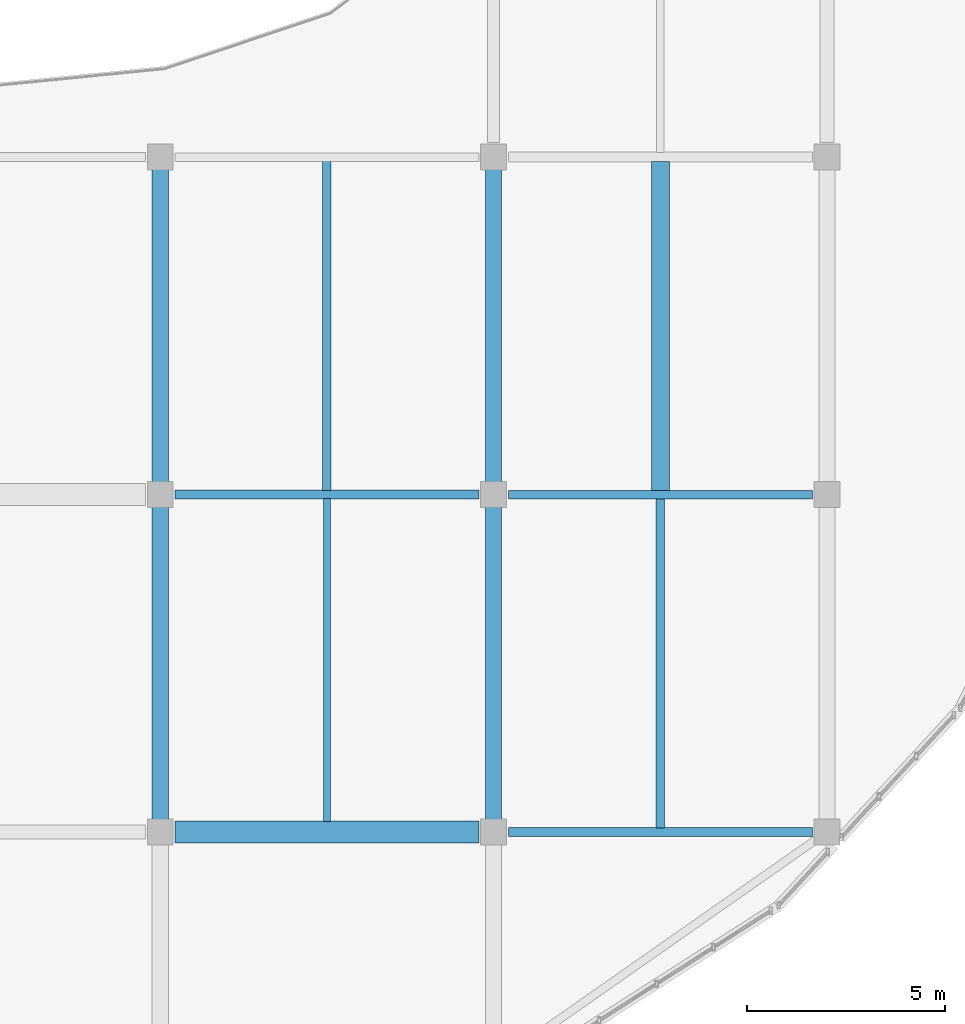
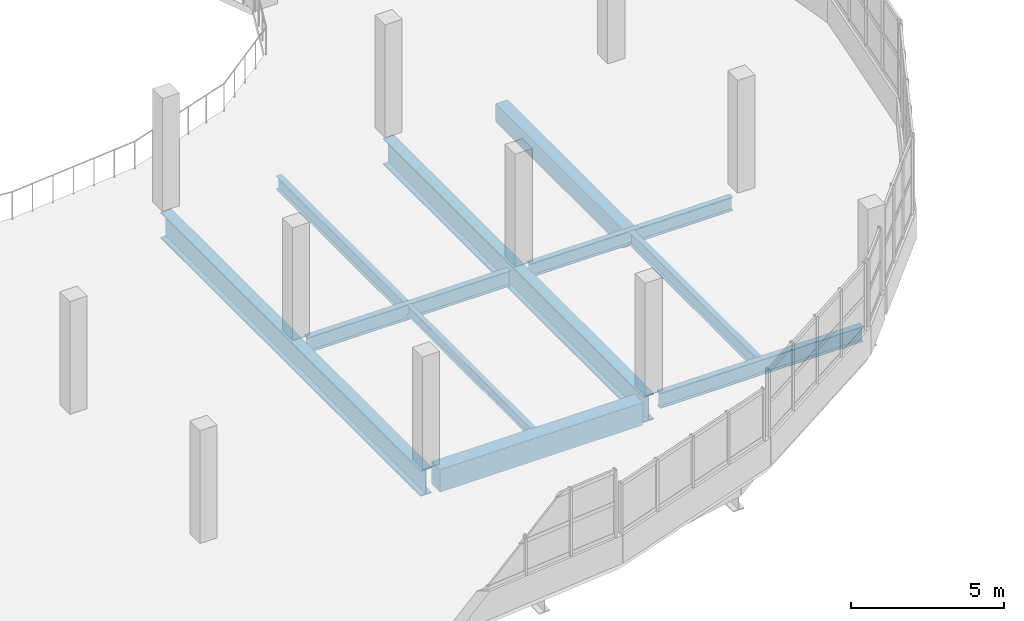
# One storey, part 20 of 50: 10 beams.
"""IFC4 building model written with IfcOpenShell, lengths in metres."""

import ifcopenshell
import ifcopenshell.guid

model = None  # the IFC model being written
_history = None  # IfcOwnerHistory: only IFC2X3 demands one
_inside = {}  # id of a spatial element -> (the spatial element, [elements in it])
_under = {}  # id of a project, library or spatial element -> (it, [spatial elements below it])
_declared = {}  # id of a project -> (the project, [libraries it declares])
_typed = {}  # id of a type object -> (the type object, [elements of that type])
_made_of = {}  # id of a material, layer set ... -> (it, [elements and type objects made of it])


def new_model(schema):
    """Start an empty IFC model of exactly this schema.

    Asked for "IFC4X3", IfcOpenShell would pick the latest addendum, in which some entities
    have other attributes; the version numbers below select the first issue.
    IFC2X3 requires an IfcOwnerHistory on every rooted entity: one is made here for all.
    """
    global model, _history
    if schema == "IFC4X3":
        model = ifcopenshell.file(schema_version=(4, 3, 0, 0))
    else:
        model = ifcopenshell.file(schema=schema)
    _inside.clear()
    _under.clear()
    _declared.clear()
    _typed.clear()
    _made_of.clear()
    _history = None
    if model.schema == "IFC2X3":
        org = make("IfcOrganization", Name="unknown")
        user = make(
            "IfcPersonAndOrganization",
            ThePerson=make("IfcPerson", FamilyName="unknown"),
            TheOrganization=org,
        )
        app = make(
            "IfcApplication",
            ApplicationDeveloper=org,
            Version="unknown",
            ApplicationFullName="unknown",
            ApplicationIdentifier="unknown",
        )
        _history = make(
            "IfcOwnerHistory",
            OwningUser=user,
            OwningApplication=app,
            ChangeAction="ADDED",
            CreationDate=0,
        )
    return model


def make(cls, **values):
    """One entity of the class cls with the attributes given. An attribute that is None is left unset."""
    return model.create_entity(
        cls, **{name: value for name, value in values.items() if value is not None}
    )


def rooted(cls, **values):
    """An entity with a GlobalId (a new one), such as an element, a storey or a relation."""
    return make(cls, GlobalId=ifcopenshell.guid.new(), OwnerHistory=_history, **values)


def si_unit(unit_type, name, prefix=None):
    """IfcSIUnit, for example si_unit("LENGTHUNIT", "METRE", prefix="MILLI")."""
    return make("IfcSIUnit", UnitType=unit_type, Prefix=prefix, Name=name)


def assignment(units):
    """IfcUnitAssignment: the units of a project."""
    return None if units is None else make("IfcUnitAssignment", Units=units)


def point(xyz):
    """IfcCartesianPoint."""
    return None if xyz is None else make("IfcCartesianPoint", Coordinates=xyz)


def direction(xyz):
    """IfcDirection."""
    return None if xyz is None else make("IfcDirection", DirectionRatios=xyz)


def frame(location, z_axis=None, x_axis=None):
    """IfcAxis2Placement3D, a coordinate frame: its origin and axes. An axis left out is left unset."""
    return make(
        "IfcAxis2Placement3D",
        Location=point(location),
        Axis=direction(z_axis),
        RefDirection=direction(x_axis),
    )


def frame_2d(location, x_axis=None):
    """IfcAxis2Placement2D, a coordinate frame in the plane: its origin and x axis."""
    return make(
        "IfcAxis2Placement2D", Location=point(location), RefDirection=direction(x_axis)
    )


def origin():
    """The frame at (0, 0, 0) with its axes left unset."""
    return frame((0.0, 0.0, 0.0))


def origin_2d():
    """The frame at (0, 0) in the plane with its x axis left unset."""
    return frame_2d((0.0, 0.0))


def place(relative_to, where):
    """IfcLocalPlacement: puts the frame where relative to a parent placement (None: the world)."""
    return make(
        "IfcLocalPlacement", PlacementRelTo=relative_to, RelativePlacement=where
    )


def context(
    kind, dimensions, precision=None, world=None, true_north=None, identifier=None
):
    """IfcGeometricRepresentationContext, for example the 3D "Model" context."""
    return make(
        "IfcGeometricRepresentationContext",
        ContextIdentifier=identifier,
        ContextType=kind,
        CoordinateSpaceDimension=dimensions,
        Precision=precision,
        WorldCoordinateSystem=world,
        TrueNorth=true_north,
    )


def subcontext(parent, identifier, kind, view, scale=None):
    """IfcGeometricRepresentationSubContext, for example "Body" below "Model"."""
    return make(
        "IfcGeometricRepresentationSubContext",
        ContextIdentifier=identifier,
        ContextType=kind,
        ParentContext=parent,
        TargetScale=scale,
        TargetView=view,
    )


def project(units=None, contexts=None):
    """IfcProject with its units and contexts."""
    return rooted(
        "IfcProject",
        Name="project",
        RepresentationContexts=contexts,
        UnitsInContext=assignment(units),
    )


def spatial(cls, under=None, at=None, **own):
    """A site, building, storey or space (cls), placed at a placement, below another one or the project."""
    s = rooted(cls, ObjectPlacement=at, **own)
    if under is not None:
        _under.setdefault(under.id(), (under, []))[1].append(s)
    return s


def profile(cls, at=None, kind="AREA", **sizes):
    """A parametric profile (cls). Its sizes go by their IFC names, for example OverallWidth=200.0."""
    return make(cls, ProfileType=kind, Position=at, **sizes)


def rectangle(**sizes):
    """IfcRectangleProfileDef."""
    return profile("IfcRectangleProfileDef", **sizes)


def i_section(**sizes):
    """IfcIShapeProfileDef."""
    return profile("IfcIShapeProfileDef", **sizes)


def extrude(swept, where, along, depth):
    """IfcExtrudedAreaSolid: the profile swept, set in the frame where, extruded along a direction by depth."""
    return make(
        "IfcExtrudedAreaSolid",
        SweptArea=swept,
        Position=where,
        ExtrudedDirection=direction(along),
        Depth=depth,
    )


def shape(context_of_items, identifier, shape_type, items):
    """IfcShapeRepresentation: the items that make up one representation, for example the "Body"."""
    return make(
        "IfcShapeRepresentation",
        ContextOfItems=context_of_items,
        RepresentationIdentifier=identifier,
        RepresentationType=shape_type,
        Items=items,
    )


def material(Name=None, Category=None):
    """IfcMaterial."""
    return make("IfcMaterial", Name=Name, Category=Category)


def material_profile(
    of_material, cross_section, Name=None, Category=None, Priority=None
):
    """IfcMaterialProfile: a cross section and its material."""
    return make(
        "IfcMaterialProfile",
        Name=Name,
        Material=of_material,
        Profile=cross_section,
        Priority=Priority,
        Category=Category,
    )


def profile_set(profiles, Name=None, composite=None):
    """IfcMaterialProfileSet."""
    return make(
        "IfcMaterialProfileSet",
        Name=Name,
        MaterialProfiles=profiles,
        CompositeProfile=composite,
    )


def made_of(thing, what):
    """Note that an element or type object is made of a material, layer set ...; save() writes the relation."""
    if what is not None:
        _made_of.setdefault(what.id(), (what, []))[1].append(thing)
    return thing


def type_object(cls, material=None, **own):
    """A type object (cls), such as IfcWallType, which elements share."""
    return made_of(rooted(cls, **own), material)


def element(
    cls,
    number,
    at=None,
    inside=None,
    cuts=None,
    type_object=None,
    material=None,
    context=None,
    identifier="Body",
    shape_type=None,
    held_by="IfcProductDefinitionShape",
    body=None,
    shapes=None,
    **own,
):
    """One element of the class cls, such as IfcWall. Its Tag is "e" and its number.

    at: its placement. inside: the storey or other place that contains it. cuts: it is an
    opening in that element (IfcRelVoidsElement). A single representation is given by context,
    identifier, shape_type and body (its items); several are given by shapes. held_by: the class
    of the entity that holds the representations. save() writes the other relations.
    """
    e = rooted(cls, Tag="e%d" % number, ObjectPlacement=at, **own)
    if body is not None:
        shapes = [shape(context, identifier, shape_type, body)]
    if shapes is not None:
        e.Representation = make(held_by, Representations=shapes)
    if inside is not None:
        _inside.setdefault(inside.id(), (inside, []))[1].append(e)
    if cuts is not None:
        rooted(
            "IfcRelVoidsElement", RelatingBuildingElement=cuts, RelatedOpeningElement=e
        )
    if type_object is not None:
        _typed.setdefault(type_object.id(), (type_object, []))[1].append(e)
    return made_of(e, material)


def aggregate(whole, parts):
    """IfcRelAggregates: a whole, such as a stair, and the parts it consists of."""
    return rooted("IfcRelAggregates", RelatingObject=whole, RelatedObjects=parts)


def save(model, path):
    """Write the relations noted so far, then the file.

    IfcRelAggregates (storeys below a building ...), IfcRelContainedInSpatialStructure (elements
    in a storey), IfcRelDefinesByType, IfcRelAssociatesMaterial and IfcRelDeclares: one each for
    every whole, place, type object, material and project.
    """
    for whole, parts in _under.values():
        aggregate(whole, parts)
    for where, things in _inside.values():
        rooted(
            "IfcRelContainedInSpatialStructure",
            RelatedElements=things,
            RelatingStructure=where,
        )
    for kind, things in _typed.values():
        rooted("IfcRelDefinesByType", RelatedObjects=things, RelatingType=kind)
    for what, things in _made_of.values():
        rooted("IfcRelAssociatesMaterial", RelatedObjects=things, RelatingMaterial=what)
    for by, libraries in _declared.values():
        rooted("IfcRelDeclares", RelatingContext=by, RelatedDefinitions=libraries)
    model.write(path)


model = new_model("IFC4")

# Units and contexts
model_context = context("Model", 3, precision=1e-05, world=origin(), true_north=direction((0.0, 1.0)))
body_context = subcontext(model_context, "Body", "Model", "MODEL_VIEW")
ifc_project = project(units=[si_unit("LENGTHUNIT", "METRE"), si_unit("AREAUNIT", "SQUARE_METRE"), si_unit("VOLUMEUNIT", "CUBIC_METRE"), si_unit("PLANEANGLEUNIT", "RADIAN"), si_unit("MASSUNIT", "GRAM", prefix="KILO")], contexts=[model_context])

# Site, building, storey
site_placement = place(None, origin())
site = spatial("IfcSite", under=ifc_project, at=site_placement, CompositionType="ELEMENT")
building_placement = place(site_placement, origin())
building = spatial("IfcBuilding", under=site, at=building_placement, Name="Solvento Point Concert Hall", CompositionType="ELEMENT")
storey_placement = place(building_placement, frame((0.0, 0.0, 15.0)))
storey = spatial("IfcBuildingStorey", under=building, at=storey_placement, Name="L03", CompositionType="ELEMENT", Elevation=15.0)

# Beams
ifc_material_1 = material(Name="Concrete C35/45", Category="concrete")
ifc_material_profile_1 = material_profile(ifc_material_1, rectangle(XDim=0.449951171875, YDim=0.75, at=origin_2d()), Name="RC-BM-450X750")
ifc_profile_set_1 = profile_set([ifc_material_profile_1], Name="Concrete C35/45")
beam_type_1 = type_object("IfcBeamType", Name="Beam_RC_450x750", PredefinedType="BEAM", material=ifc_profile_set_1)
beam_1_placement = place(storey_placement, frame((78.60009765625, 25.592041015625, -0.638916015625), z_axis=(0.0, 1.0, 0.0), x_axis=(-1.0, 0.0, 0.0)))
element("IfcBeam", 1, at=beam_1_placement, inside=storey, type_object=beam_type_1, Name="Secondary floor joist B-28 L03", PredefinedType="BEAM", context=body_context, shape_type="SweptSolid", body=[
    extrude(rectangle(XDim=0.449951171875, YDim=0.75, at=origin_2d()), origin(), (0.0, 0.0, 1.0), 8.294921875),
])
ifc_material_2 = material(Name="Structural Steel ASTM A992 Grade 50", Category="steel")
ifc_material_profile_2 = material_profile(ifc_material_2, i_section(OverallWidth=0.20947265625, OverallDepth=0.532958984375, WebThickness=0.01025390625, FlangeThickness=0.015625, at=origin_2d()), Name="W21X62")
ifc_profile_set_2 = profile_set([ifc_material_profile_2], Name="Structural Steel ASTM A992 Grade 50")
beam_type_2 = type_object("IfcBeamType", Name="Beam_W21X62", PredefinedType="BEAM", material=ifc_profile_set_2)
for number, where, z_axis, x_axis, name in (
    (2, (70.199951171875, 25.59912109375, -0.530517578125), (0.0, 1.0, 0.0), (-1.0, 0.0, 0.0), "Secondary floor joist B-25 L03"),
    (3, (78.60009765625, 17.09912109375, -0.530517578125), (0.0, 1.0, 0.0), (-1.0, 0.0, 0.0), "Secondary floor joist B-25 L03"),
):
    element("IfcBeam", number, at=place(storey_placement, frame(where, z_axis=z_axis, x_axis=x_axis)), inside=storey, type_object=beam_type_2, Name=name, PredefinedType="BEAM", context=body_context, shape_type="SweptSolid", body=[
        extrude(i_section(OverallWidth=0.20947265625, OverallDepth=0.532958984375, WebThickness=0.01025390625, FlangeThickness=0.015625, at=origin_2d()), origin(), (0.0, 0.0, 1.0), 8.308837890625),
    ])
ifc_material_3 = material(Name="Structural Steel ASTM A992 Grade 50", Category="steel")
ifc_material_profile_3 = material_profile(ifc_material_3, i_section(OverallWidth=0.214111328125, OverallDepth=0.549072265625, WebThickness=0.0146484375, FlangeThickness=0.023681640625, at=origin_2d()), Name="W21X93")
ifc_profile_set_3 = profile_set([ifc_material_profile_3], Name="Structural Steel ASTM A992 Grade 50")
beam_type_3 = type_object("IfcBeamType", Name="Beam_W21X93", PredefinedType="BEAM", material=ifc_profile_set_3)
beam_2_placement = place(storey_placement, frame((74.76904296875, 25.5, -0.53857421875), z_axis=(1.0, 0.0, 0.0), x_axis=(0.0, 1.0, 0.0)))
element("IfcBeam", 4, at=beam_2_placement, inside=storey, type_object=beam_type_3, Name="Primary girder B-48 L03", PredefinedType="BEAM", context=body_context, shape_type="SweptSolid", body=[
    extrude(i_section(OverallWidth=0.214111328125, OverallDepth=0.549072265625, WebThickness=0.0146484375, FlangeThickness=0.023681640625, at=origin_2d()), origin(), (0.0, 0.0, 1.0), 7.661865234375),
])
ifc_material_4 = material(Name="Structural Steel ASTM A992 Grade 50", Category="steel")
ifc_material_profile_4 = material_profile(ifc_material_4, i_section(OverallWidth=0.228515625, OverallDepth=0.60791015625, WebThickness=0.01123046875, FlangeThickness=0.017333984375, at=origin_2d()), Name="W24X76")
ifc_profile_set_4 = profile_set([ifc_material_profile_4], Name="Structural Steel ASTM A992 Grade 50")
beam_type_4 = type_object("IfcBeamType", Name="Beam_W24X76", PredefinedType="BEAM", material=ifc_profile_set_4)
beam_3_placement = place(storey_placement, frame((74.76904296875, 17.0, -0.568115234375), z_axis=(1.0, 0.0, 0.0), x_axis=(0.0, 1.0, 0.0)))
element("IfcBeam", 5, at=beam_3_placement, inside=storey, type_object=beam_type_4, Name="Primary girder B-42 L03", PredefinedType="BEAM", context=body_context, shape_type="SweptSolid", body=[
    extrude(i_section(OverallWidth=0.228515625, OverallDepth=0.60791015625, WebThickness=0.01123046875, FlangeThickness=0.017333984375, at=origin_2d()), origin(), (0.0, 0.0, 1.0), 7.661865234375),
])
beam_4_placement = place(storey_placement, frame((66.368896484375, 25.5, -0.568115234375), z_axis=(1.0, 0.0, 0.0), x_axis=(0.0, 1.0, 0.0)))
element("IfcBeam", 6, at=beam_4_placement, inside=storey, type_object=beam_type_4, Name="Primary girder B-42 L03", PredefinedType="BEAM", context=body_context, shape_type="SweptSolid", body=[
    extrude(i_section(OverallWidth=0.228515625, OverallDepth=0.60791015625, WebThickness=0.01123046875, FlangeThickness=0.017333984375, at=origin_2d()), origin(), (0.0, 0.0, 1.0), 7.662109375),
])
ifc_material_5 = material(Name="Structural Steel ASTM A992 Grade 50", Category="steel")
ifc_material_profile_5 = material_profile(ifc_material_5, i_section(OverallWidth=0.408935546875, OverallDepth=1.041015625, WebThickness=0.031005859375, FlangeThickness=0.04443359375, at=origin_2d()), Name="W40X397")
ifc_profile_set_5 = profile_set([ifc_material_profile_5], Name="Structural Steel ASTM A992 Grade 50")
beam_type_5 = type_object("IfcBeamType", Name="CantileverGirder_W40X397", PredefinedType="USERDEFINED", material=ifc_profile_set_5)
for number, where, z_axis, x_axis, name in (
    (7, (66.0, 34.0, -0.785400390625), (0.0, -1.0, 0.0), (1.0, 0.0, 0.0), "Radial back-span girder CG-01 L03"),
    (8, (74.39990234375, 34.0, -0.785400390625), (0.0, -1.0, 0.0), (1.0, 0.0, 0.0), "Radial back-span girder CG-01 L03"),
):
    element("IfcBeam", number, at=place(storey_placement, frame(where, z_axis=z_axis, x_axis=x_axis)), inside=storey, type_object=beam_type_5, Name=name, ObjectType="GIRDER", PredefinedType="USERDEFINED", context=body_context, shape_type="SweptSolid", body=[
        extrude(i_section(OverallWidth=0.408935546875, OverallDepth=1.041015625, WebThickness=0.031005859375, FlangeThickness=0.04443359375, at=origin_2d()), origin(), (0.0, 0.0, 1.0), 17.0),
    ])
ifc_material_6 = material(Name="Concrete C35/45", Category="concrete")
ifc_material_profile_6 = material_profile(ifc_material_6, rectangle(XDim=0.550048828125, YDim=0.89990234375, at=origin_2d()), Name="RC-BM-550X900")
ifc_profile_set_6 = profile_set([ifc_material_profile_6], Name="Concrete C35/45")
beam_type_6 = type_object("IfcBeamType", Name="Girder_RC_550x900", PredefinedType="USERDEFINED", material=ifc_profile_set_6)
beam_5_placement = place(storey_placement, frame((66.368896484375, 17.0, -0.714111328125), z_axis=(1.0, 0.0, 0.0), x_axis=(0.0, 1.0, 0.0)))
element("IfcBeam", 9, at=beam_5_placement, inside=storey, type_object=beam_type_6, Name="Primary girder B-39 L03", ObjectType="GIRDER", PredefinedType="USERDEFINED", context=body_context, shape_type="SweptSolid", body=[
    extrude(rectangle(XDim=0.550048828125, YDim=0.89990234375, at=origin_2d()), origin(), (0.0, 0.0, 1.0), 7.662109375),
])
ifc_material_7 = material(Name="Structural Steel ASTM A992 Grade 50", Category="steel")
ifc_material_profile_7 = material_profile(ifc_material_7, i_section(OverallWidth=0.177490234375, OverallDepth=0.403076171875, WebThickness=0.007568359375, FlangeThickness=0.010986328125, at=origin_2d()), Name="W16X36")
ifc_profile_set_7 = profile_set([ifc_material_profile_7], Name="Structural Steel ASTM A992 Grade 50")
beam_type_7 = type_object("IfcBeamType", Name="Joist_W16X36", PredefinedType="JOIST", material=ifc_profile_set_7)
beam_6_placement = place(storey_placement, frame((70.199951171875, 17.260009765625, -0.465576171875), z_axis=(0.0, 1.0, 0.0), x_axis=(-1.0, 0.0, 0.0)))
element("IfcBeam", 10, at=beam_6_placement, inside=storey, type_object=beam_type_7, Name="Secondary floor joist B-30 L03", PredefinedType="JOIST", context=body_context, shape_type="SweptSolid", body=[
    extrude(i_section(OverallWidth=0.177490234375, OverallDepth=0.403076171875, WebThickness=0.007568359375, FlangeThickness=0.010986328125, at=origin_2d()), origin(), (0.0, 0.0, 1.0), 8.140869140625),
])

save(model, "model.ifc")
